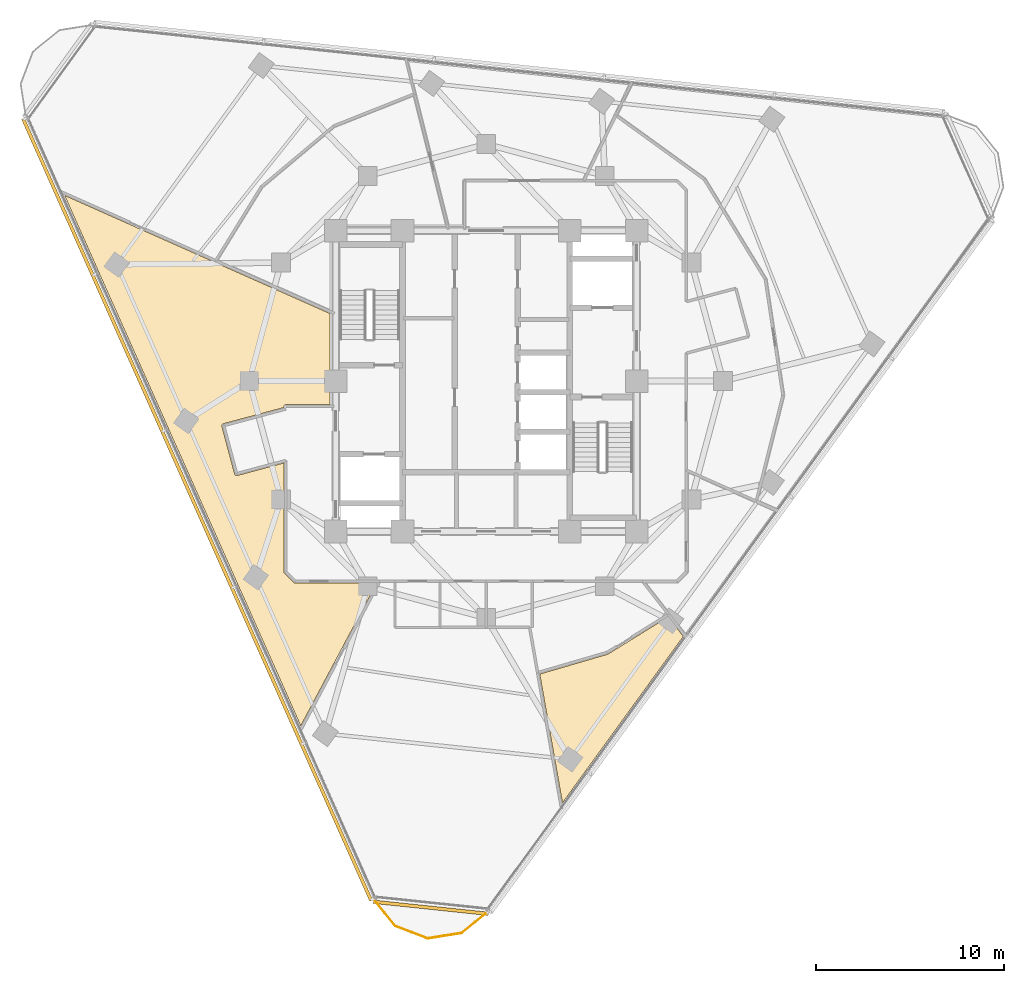
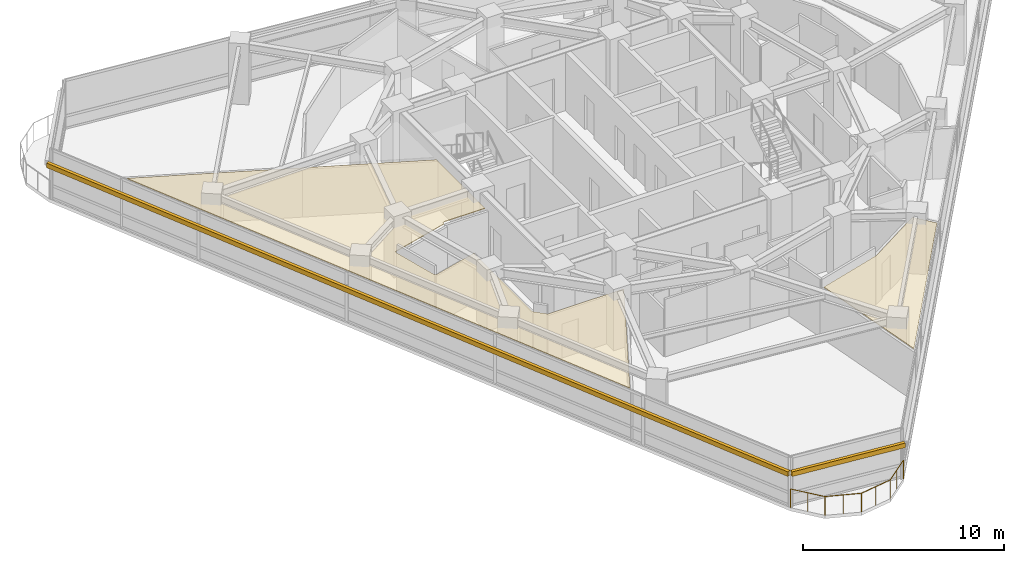
# One storey, part 12 of 15: 2 coverings, 2 shading devices, 1 railing.
"""IFC4 building model written with IfcOpenShell, lengths in metres."""

from ifc_helpers import new_model, si_unit, direction, frame, origin, origin_2d, place, context, subcontext, project, spatial, polyline, rectangle, circle, outline, extrude, material, layer, layer_set, type_object, element, save


model = new_model("IFC4")

# Units and contexts
model_context = context("Model", 3, precision=1e-05, world=origin(), true_north=direction((0.0, 1.0)))
body_context = subcontext(model_context, "Body", "Model", "MODEL_VIEW")
ifc_project = project(units=[si_unit("LENGTHUNIT", "METRE"), si_unit("AREAUNIT", "SQUARE_METRE"), si_unit("VOLUMEUNIT", "CUBIC_METRE"), si_unit("PLANEANGLEUNIT", "RADIAN"), si_unit("MASSUNIT", "GRAM", prefix="KILO")], contexts=[model_context])

# Site, building, storey
site_placement = place(None, origin())
site = spatial("IfcSite", under=ifc_project, at=site_placement, CompositionType="ELEMENT")
building_placement = place(site_placement, origin())
building = spatial("IfcBuilding", under=site, at=building_placement, Name="Terralouvre Media Tower", CompositionType="ELEMENT")
storey_placement = place(building_placement, frame((0.0, 0.0, 233.699951171875)))
storey = spatial("IfcBuildingStorey", under=building, at=storey_placement, Name="L60", CompositionType="ELEMENT", Elevation=233.699951171875)

# Coverings
ifc_material_1 = material(Name="Perforated aluminium acoustic ceiling baffle", Category="aluminium")
ifc_layer_1 = layer(ifc_material_1, 0.0400390625, Name="Perforated Acoustic Metal Tile Ceiling CL-AC1")
ifc_layer_set_1 = layer_set([ifc_layer_1], Name="Perforated aluminium acoustic ceiling baffle")
covering_type = type_object("IfcCoveringType", Name="Perforated Acoustic Metal Tile Ceiling CL-AC1", PredefinedType="CEILING", material=ifc_layer_set_1)
covering_1_placement = place(storey_placement, frame((0.0, 0.0, 2.97998046875), z_axis=(0.0, 0.0, 1.0), x_axis=(0.587785252292, 0.809016994375, 0.0)))
element("IfcCovering", 1, at=covering_1_placement, inside=storey, type_object=covering_type, Name="L60 Journalist Quiet Study 1 Acoustic Ceiling", PredefinedType="CEILING", context=body_context, shape_type="SweptSolid", body=[
    extrude(outline(polyline([(-14.662841796875, 1.892822265625), (-14.668212890625, 1.901123046875), (-14.6728515625, 1.90966796875), (-14.676513671875, 1.918701171875), (-14.67919921875, 1.92822265625), (-14.68115234375, 1.93798828125), (-14.681884765625, 1.94775390625), (-14.681884765625, 1.95751953125), (-14.680908203125, 1.96728515625), (-14.570068359375, 2.665771484375), (-14.568115234375, 2.67529296875), (-14.565185546875, 2.6845703125), (-14.561279296875, 2.693603515625), (-14.556640625, 2.7021484375), (-14.55126953125, 2.71044921875), (-14.544921875, 2.718017578125), (-14.537841796875, 2.724853515625), (-14.5302734375, 2.73095703125), (-9.84228515625, 6.136962890625), (-11.8544921875, 7.766357421875), (-11.862060546875, 7.77294921875), (-11.86865234375, 7.7802734375), (-11.87451171875, 7.7880859375), (-11.879638671875, 7.79638671875), (-11.8837890625, 7.80517578125), (-11.88720703125, 7.814453125), (-11.8896484375, 7.823974609375), (-11.89111328125, 7.833740234375), (-11.8916015625, 7.843505859375), (-11.891357421875, 7.853271484375), (-11.889892578125, 7.863037109375), (-11.8876953125, 7.87255859375), (-11.88427734375, 7.8818359375), (-11.880126953125, 7.890625), (-11.875244140625, 7.899169921875), (-11.869384765625, 7.9072265625), (-10.200927734375, 9.966064453125), (-10.1943359375, 9.973388671875), (-10.187255859375, 9.97998046875), (-10.17919921875, 9.98583984375), (-10.1708984375, 9.990966796875), (-10.162109375, 9.9951171875), (-10.15283203125, 9.99853515625), (-10.143310546875, 10.0009765625), (-10.1337890625, 10.00244140625), (-10.123779296875, 10.003173828125), (-10.114013671875, 10.002685546875), (-10.104248046875, 10.001220703125), (-10.094970703125, 9.9990234375), (-10.08544921875, 9.99560546875), (-10.07666015625, 9.991455078125), (-10.068115234375, 9.986572265625), (-10.060302734375, 9.980712890625), (-7.45556640625, 7.870849609375), (-7.410888671875, 7.9033203125), (-7.402587890625, 7.90869140625), (-7.39404296875, 7.913330078125), (-7.384765625, 7.9169921875), (-7.37548828125, 7.919677734375), (-7.36572265625, 7.921630859375), (-7.35595703125, 7.92236328125), (-7.34619140625, 7.92236328125), (-7.33642578125, 7.92138671875), (-7.326904296875, 7.919189453125), (-7.317626953125, 7.916259765625), (-7.308349609375, 7.912353515625), (-7.2998046875, 7.90771484375), (-7.291748046875, 7.90234375), (-7.2841796875, 7.89599609375), (-7.27734375, 7.888916015625), (-7.271240234375, 7.88134765625), (-5.895751953125, 5.98828125), (-1.97998046875, 8.833251953125), (-3.36962890625, 15.374267578125), (-5.1904296875, 23.938720703125), (-20.626953125, -2.797607421875), (-12.123291015625, -1.6025390625), (-14.662841796875, 1.892822265625)])), origin(), (0.0, 0.0, 1.0), 0.0400390625),
])
covering_2_placement = place(storey_placement, frame((0.0, 0.0, 2.97998046875), z_axis=(0.0, 0.0, 1.0), x_axis=(0.587785252292, 0.809016994375, 0.0)))
element("IfcCovering", 2, at=covering_2_placement, inside=storey, type_object=covering_type, Name="L60 Investigative Desk Open Office 4 Acoustic Ceiling", PredefinedType="CEILING", context=body_context, shape_type="SweptSolid", body=[
    extrude(outline(polyline([(-7.93798828125, -13.775390625), (-7.9462890625, -13.771484375), (-7.9541015625, -13.76708984375), (-7.96142578125, -13.761962890625), (-10.9306640625, -11.463134765625), (-15.7607421875, -16.465087890625), (-4.8251953125, -16.46435546875), (-4.46240234375, -15.19775390625), (-7.93798828125, -13.775390625)])), origin(), (0.0, 0.0, 1.0), 0.0400390625),
])

# Railing
ifc_material_2 = material(Name="Stainless steel 316 handrail and balustrade", Category="steel")
ifc_layer_2 = layer(ifc_material_2, 0.06005859375, Name="Roof Edge Safety Guardrail GR-ROOF1")
ifc_layer_set_2 = layer_set([ifc_layer_2], Name="Stainless steel 316 handrail and balustrade")
railing_type = type_object("IfcRailingType", Name="Roof Edge Safety Guardrail GR-ROOF1", PredefinedType="GUARDRAIL", material=ifc_layer_set_2)
railing_placement = place(storey_placement, frame((-5.98583984375, -27.5546875, 0.0)))
element("IfcRailing", 3, at=railing_placement, inside=storey, type_object=railing_type, Name="L60 Wind-Corner Perimeter Safety Guardrail C0", PredefinedType="GUARDRAIL", context=body_context, shape_type="SweptSolid", body=[
    extrude(circle(Radius=0.02099609375, at=origin_2d()), frame((0.0, 0.0, 1.12890625), z_axis=(0.629125588714, -0.777303668861, 0.0), x_axis=(0.777303668861, 0.629125588714, 0.0)), (0.0, 0.0, 1.0), 1.837158203125),
    extrude(circle(Radius=0.02099609375, at=origin_2d()), frame((1.15576171875, -1.427978515625, 1.12890625), z_axis=(0.933530480619, -0.358498035915, 0.0), x_axis=(0.358498035915, 0.933530480619, 0.0)), (0.0, 0.0, 1.0), 1.836669921875),
    extrude(circle(Radius=0.02099609375, at=origin_2d()), frame((2.870361328125, -2.08642578125, 1.12890625), z_axis=(0.987666866591, 0.156569986387, 0.0), x_axis=(-0.156569986387, 0.987666866591, 0.0)), (0.0, 0.0, 1.0), 1.8369140625),
    extrude(circle(Radius=0.02099609375, at=origin_2d()), frame((4.6845703125, -1.798828125, 1.12890625), z_axis=(0.777015769995, 0.629481130122, 0.0), x_axis=(-0.629481130122, 0.777015769995, 0.0)), (0.0, 0.0, 1.0), 1.8369140625),
    extrude(circle(Radius=0.01904296875, at=origin_2d()), origin(), (0.0, 0.0, 1.0), 1.10791015625),
    extrude(circle(Radius=0.01904296875, at=origin_2d()), frame((0.577880859375, -0.7138671875, 0.0)), (0.0, 0.0, 1.0), 1.10791015625),
    extrude(circle(Radius=0.01904296875, at=origin_2d()), frame((1.15576171875, -1.427978515625, 0.0)), (0.0, 0.0, 1.0), 1.10791015625),
    extrude(circle(Radius=0.01904296875, at=origin_2d()), frame((2.01318359375, -1.75732421875, 0.0)), (0.0, 0.0, 1.0), 1.10791015625),
    extrude(circle(Radius=0.01904296875, at=origin_2d()), frame((2.870361328125, -2.08642578125, 0.0)), (0.0, 0.0, 1.0), 1.10791015625),
    extrude(circle(Radius=0.01904296875, at=origin_2d()), frame((3.77734375, -1.942626953125, 0.0)), (0.0, 0.0, 1.0), 1.10791015625),
    extrude(circle(Radius=0.01904296875, at=origin_2d()), frame((4.6845703125, -1.798828125, 0.0)), (0.0, 0.0, 1.0), 1.10791015625),
    extrude(circle(Radius=0.01904296875, at=origin_2d()), frame((5.398193359375, -1.220703125, 0.0)), (0.0, 0.0, 1.0), 1.10791015625),
    extrude(circle(Radius=0.01904296875, at=origin_2d()), frame((6.11181640625, -0.642578125, 0.0)), (0.0, 0.0, 1.0), 1.10791015625),
])

# Shading devices
ifc_material_3 = material(Name="Extruded terracotta baguette sunshade louvres", Category="masonry")
shading_device_type = type_object("IfcShadingDeviceType", Name="Terracotta Baguette Sunshade Louvre Screen TB-LV1", PredefinedType="USERDEFINED", material=ifc_material_3)
shading_device_1_placement = place(storey_placement, frame((-15.3701171875, -6.84326171875, 2.02392578125), z_axis=(0.0, 0.0, 1.0), x_axis=(0.406736679636, -0.913545441365, 0.0)))
element("IfcShadingDevice", 4, at=shading_device_1_placement, inside=storey, type_object=shading_device_type, Name="CW-L60-F2 Terracotta Baguette Sunshade Louvre", ObjectType="BAGUETTE", PredefinedType="USERDEFINED", context=body_context, shape_type="SweptSolid", body=[
    extrude(rectangle(XDim=45.5, YDim=0.179931640625, at=origin_2d()), origin(), (0.0, 0.0, 1.0), 0.280029296875),
])
shading_device_2_placement = place(storey_placement, frame((-2.944091796875, -28.01025390625, 2.02392578125), z_axis=(0.0, 0.0, 1.0), x_axis=(0.994521944551, -0.104527995322, 0.0)))
element("IfcShadingDevice", 5, at=shading_device_2_placement, inside=storey, type_object=shading_device_type, Name="CW-L60-C0 Terracotta Baguette Sunshade Louvre", ObjectType="BAGUETTE", PredefinedType="USERDEFINED", context=body_context, shape_type="SweptSolid", body=[
    extrude(rectangle(XDim=6.148681640625, YDim=0.179931640625, at=origin_2d()), origin(), (0.0, 0.0, 1.0), 0.280029296875),
])

save(model, "model.ifc")
